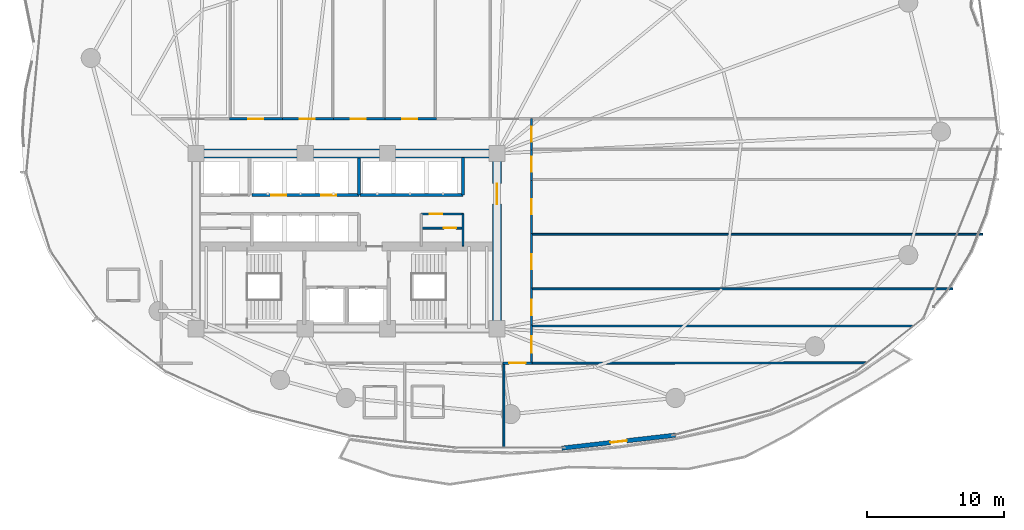
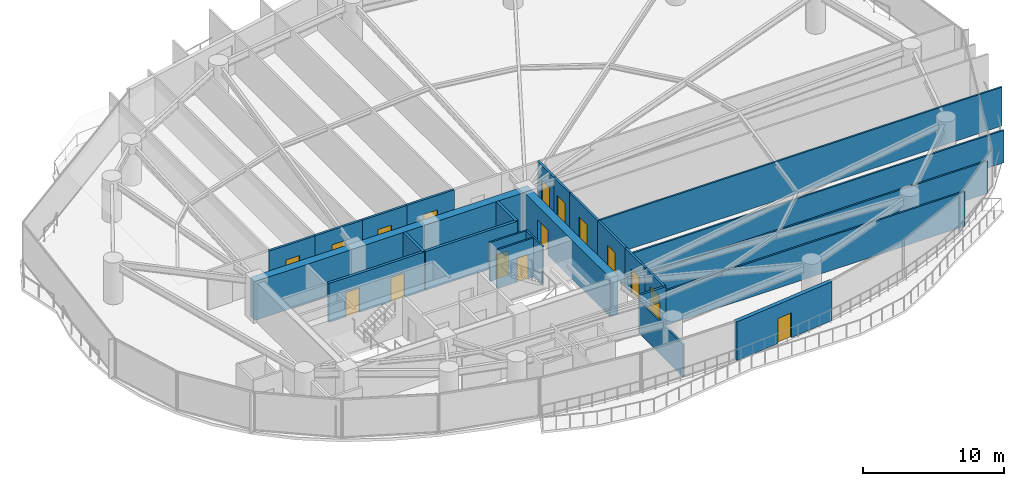
# One storey, part 26 of 32: 26 walls, 17 doors, 17 openings.
"""IFC4 building model written with IfcOpenShell, lengths in metres."""

from ifc_helpers import new_model, si_unit, direction, frame, frame_2d, origin, place, context, subcontext, project, spatial, rectangle, extrude, material, layer, layer_set, type_object, element, fill, save


model = new_model("IFC4")

# Units and contexts
model_context = context("Model", 3, precision=1e-05, world=origin(), true_north=direction((0.0, 1.0)))
body_context = subcontext(model_context, "Body", "Model", "MODEL_VIEW")
ifc_project = project(units=[si_unit("LENGTHUNIT", "METRE"), si_unit("AREAUNIT", "SQUARE_METRE"), si_unit("VOLUMEUNIT", "CUBIC_METRE"), si_unit("PLANEANGLEUNIT", "RADIAN"), si_unit("MASSUNIT", "GRAM", prefix="KILO")], contexts=[model_context])

# Site, building, storey
site_placement = place(None, origin())
site = spatial("IfcSite", under=ifc_project, at=site_placement, CompositionType="ELEMENT")
building_placement = place(site_placement, origin())
building = spatial("IfcBuilding", under=site, at=building_placement, Name="Kazevale Care Tower and Concert Hall", CompositionType="ELEMENT")
storey_placement = place(building_placement, frame((0.0, 0.0, 42.0)))
storey = spatial("IfcBuildingStorey", under=building, at=storey_placement, Name="L10", CompositionType="ELEMENT", Elevation=42.0)

# Wall
ifc_material_1 = material(Name="Acoustic Gypsum on Steel Stud", Category="steel")
ifc_layer_1 = layer(ifc_material_1, 0.139892578125)
ifc_layer_set_1 = layer_set([ifc_layer_1], Name="Acoustic Gypsum on Steel Stud")
wall_type_1 = type_object("IfcWallType", Name="Acoustic Care & Suite Partition 140", PredefinedType="PARTITIONING", material=ifc_layer_set_1)
wall_1_placement = place(storey_placement, frame((41.52001953125, 29.6201171875, 0.0), z_axis=(0.0, 0.0, 1.0), x_axis=(0.0, 1.0, 0.0)))
element("IfcWall", 1, at=wall_1_placement, inside=storey, type_object=wall_type_1, Name="wall:L10:kc_ee", PredefinedType="PARTITIONING", context=body_context, shape_type="SweptSolid", body=[
    extrude(rectangle(XDim=2.35986328125, YDim=0.139892578125, at=frame_2d((1.179931640625, 0.0))), origin(), (0.0, 0.0, 1.0), 3.360107421875),
])

# Wall, opening, door
wall_2_placement = place(storey_placement, frame((38.47998046875, 30.949951171875, 0.0), z_axis=(0.0, 0.0, 1.0), x_axis=(1.0, 0.0, 0.0)))
wall_2 = element("IfcWall", 2, at=wall_2_placement, inside=storey, type_object=wall_type_1, Name="wall:L10:kc_em", PredefinedType="PARTITIONING", context=body_context, shape_type="SweptSolid", body=[
    extrude(rectangle(XDim=3.0400390625, YDim=0.139892578125, at=frame_2d((1.52001953125, 0.0))), origin(), (0.0, 0.0, 1.0), 3.360107421875),
])
opening_1_placement = place(wall_2_placement, frame((1.616943359375, 0.0, 0.0)))
opening_1 = element("IfcOpeningElement", 3, at=opening_1_placement, cuts=wall_2, Name="Opening ID-900", PredefinedType="OPENING", context=body_context, shape_type="SweptSolid", body=[
    extrude(rectangle(XDim=0.919921875, YDim=2.10009765625, at=frame_2d((0.4599609375, 1.050048828125))), frame((0.0, 0.079833984375, 0.0), z_axis=(0.0, -1.0, 0.0), x_axis=(1.0, 0.0, 0.0)), (0.0, 0.0, 1.0), 0.159912109375),
])
ifc_material_2 = material(Name="Oak Timber Fire Leaf", Category="wood")
door_type_1 = type_object("IfcDoorType", Name="Bathroom & Service Door 920x2100", OperationType="NOTDEFINED", PredefinedType="DOOR", material=ifc_material_2)
door_1_placement = place(opening_1_placement, origin())
door_1 = element("IfcDoor", 4, at=door_1_placement, inside=storey, type_object=door_type_1, Name="door:L10:d_kceb", OperationType="SINGLE_SWING_RIGHT", OverallHeight=2.10009765625, OverallWidth=0.919921875, PredefinedType="DOOR", context=body_context, shape_type="SweptSolid", body=[
    extrude(rectangle(XDim=0.919921875, YDim=2.10009765625, at=frame_2d((0.4599609375, 1.050048828125))), frame((0.0, 0.02490234375, 0.0), z_axis=(0.0, -1.0, 0.0), x_axis=(1.0, 0.0, 0.0)), (0.0, 0.0, 1.0), 0.050048828125),
])
fill(opening_1, door_1)

wall_3_placement = place(storey_placement, frame((38.47998046875, 31.97998046875, 0.0), z_axis=(0.0, 0.0, 1.0), x_axis=(1.0, 0.0, 0.0)))
wall_3 = element("IfcWall", 5, at=wall_3_placement, inside=storey, type_object=wall_type_1, Name="wall:L10:kc_en", PredefinedType="PARTITIONING", context=body_context, shape_type="SweptSolid", body=[
    extrude(rectangle(XDim=3.0400390625, YDim=0.139892578125, at=frame_2d((1.52001953125, 0.0))), origin(), (0.0, 0.0, 1.0), 3.360107421875),
])
opening_2_placement = place(wall_3_placement, frame((0.614013671875, 0.0, 0.0)))
opening_2 = element("IfcOpeningElement", 6, at=opening_2_placement, cuts=wall_3, Name="Opening ID-900", PredefinedType="OPENING", context=body_context, shape_type="SweptSolid", body=[
    extrude(rectangle(XDim=0.919921875, YDim=2.10009765625, at=frame_2d((0.4599609375, 1.050048828125))), frame((0.0, 0.079833984375, 0.0), z_axis=(0.0, -1.0, 0.0), x_axis=(1.0, 0.0, 0.0)), (0.0, 0.0, 1.0), 0.159912109375),
])
door_2_placement = place(opening_2_placement, origin())
door_2 = element("IfcDoor", 7, at=door_2_placement, inside=storey, type_object=door_type_1, Name="door:L10:d_kcet", OperationType="SINGLE_SWING_LEFT", OverallHeight=2.10009765625, OverallWidth=0.919921875, PredefinedType="DOOR", context=body_context, shape_type="SweptSolid", body=[
    extrude(rectangle(XDim=0.919921875, YDim=2.10009765625, at=frame_2d((0.4599609375, 1.050048828125))), frame((0.0, 0.02490234375, 0.0), z_axis=(0.0, -1.0, 0.0), x_axis=(1.0, 0.0, 0.0)), (0.0, 0.0, 1.0), 0.050048828125),
])
fill(opening_2, door_2)

# Walls
wall_4_placement = place(storey_placement, frame((46.4951171875, 23.7900390625, 0.0), z_axis=(0.0, 0.0, 1.0), x_axis=(1.0, 0.0, 0.0)))
element("IfcWall", 8, at=wall_4_placement, inside=storey, type_object=wall_type_1, Name="wall:L10:auto_026", PredefinedType="PARTITIONING", context=body_context, shape_type="SweptSolid", body=[
    extrude(rectangle(XDim=27.9462890625, YDim=0.139892578125, at=frame_2d((13.97314453125, 0.0))), origin(), (0.0, 0.0, 1.0), 2.805908203125),
])
wall_5_placement = place(storey_placement, frame((71.0107421875, 21.094482421875, 0.0), z_axis=(0.0, 0.0, 1.0), x_axis=(-0.999999682646, -0.000796685534, 0.0)))
element("IfcWall", 9, at=wall_5_placement, inside=storey, type_object=wall_type_1, Name="wall:L10:auto_027", PredefinedType="PARTITIONING", context=body_context, shape_type="SweptSolid", body=[
    extrude(rectangle(XDim=24.515625, YDim=0.139892578125, at=frame_2d((12.2578125, 0.0))), origin(), (0.0, 0.0, 1.0), 2.99609375),
])
wall_6_placement = place(storey_placement, frame((46.4951171875, 26.5, 0.0), z_axis=(0.0, 0.0, 1.0), x_axis=(1.0, 0.0, 0.0)))
element("IfcWall", 10, at=wall_6_placement, inside=storey, type_object=wall_type_1, Name="wall:L10:auto_028", PredefinedType="PARTITIONING", context=body_context, shape_type="SweptSolid", body=[
    extrude(rectangle(XDim=30.830810546875, YDim=0.139892578125, at=frame_2d((15.41552734375, 0.0))), origin(), (0.0, 0.0, 1.0), 2.805908203125),
])
wall_7_placement = place(storey_placement, frame((46.4951171875, 30.5, 0.0), z_axis=(0.0, 0.0, 1.0), x_axis=(1.0, 0.0, 0.0)))
element("IfcWall", 11, at=wall_7_placement, inside=storey, type_object=wall_type_1, Name="wall:L10:auto_029", PredefinedType="PARTITIONING", context=body_context, shape_type="SweptSolid", body=[
    extrude(rectangle(XDim=33.0078125, YDim=0.139892578125, at=frame_2d((16.50390625, 0.0))), origin(), (0.0, 0.0, 1.0), 3.360107421875),
])
wall_8_placement = place(storey_placement, frame((44.5, 21.10498046875, 0.0), z_axis=(0.0, 0.0, 1.0), x_axis=(0.0, -1.0, 0.0)))
element("IfcWall", 12, at=wall_8_placement, inside=storey, type_object=wall_type_1, Name="wall:L10:auto_033", PredefinedType="PARTITIONING", context=body_context, shape_type="SweptSolid", body=[
    extrude(rectangle(XDim=6.205078125, YDim=0.139892578125, at=frame_2d((3.1025390625, 0.0))), origin(), (0.0, 0.0, 1.0), 2.805908203125),
])
ifc_material_3 = material(Name="Concrete C70", Category="concrete")
ifc_layer_2 = layer(ifc_material_3, 0.64990234375)
ifc_layer_set_2 = layer_set([ifc_layer_2], Name="Concrete C70")
wall_type_2 = type_object("IfcWallType", Name="Core Shear Wall 650 C70", PredefinedType="SHEAR", material=ifc_layer_set_2)
wall_9_placement = place(storey_placement, frame((21.675048828125, 36.39990234375, 0.0), z_axis=(0.0, 0.0, 1.0), x_axis=(1.0, 0.0, 0.0)))
element("IfcWall", 13, at=wall_9_placement, inside=storey, type_object=wall_type_2, Name="wall:L10:core:N", PredefinedType="SHEAR", context=body_context, shape_type="SweptSolid", body=[
    extrude(rectangle(XDim=22.64990234375, YDim=0.64990234375, at=frame_2d((11.324951171875, 0.0))), origin(), (0.0, 0.0, 1.0), 3.360107421875),
])

# Wall, opening, door
wall_10_placement = place(storey_placement, frame((44.0, 23.925048828125, 0.0), z_axis=(0.0, 0.0, 1.0), x_axis=(0.0, 1.0, 0.0)))
wall_10 = element("IfcWall", 14, at=wall_10_placement, inside=storey, type_object=wall_type_2, Name="wall:L10:core:E", PredefinedType="SHEAR", context=body_context, shape_type="SweptSolid", body=[
    extrude(rectangle(XDim=12.14990234375, YDim=0.64990234375, at=frame_2d((6.074951171875, 0.0))), origin(), (0.0, 0.0, 1.0), 3.360107421875),
])
opening_3_placement = place(wall_10_placement, frame((8.77490234375, 0.0, 0.0)))
opening_3 = element("IfcOpeningElement", 15, at=opening_3_placement, cuts=wall_10, Name="Opening FD-60D", PredefinedType="OPENING", context=body_context, shape_type="SweptSolid", body=[
    extrude(rectangle(XDim=1.5, YDim=2.14990234375, at=frame_2d((0.75, 1.074951171875))), frame((0.0, 0.3349609375, 0.0), z_axis=(0.0, -1.0, 0.0), x_axis=(1.0, 0.0, 0.0)), (0.0, 0.0, 1.0), 0.669921875),
])
door_type_2 = type_object("IfcDoorType", Name="Double Lobby & Auditorium Fire Door 1500x2150", OperationType="NOTDEFINED", PredefinedType="DOOR", material=ifc_material_2)
door_3_placement = place(opening_3_placement, origin())
door_3 = element("IfcDoor", 16, at=door_3_placement, inside=storey, type_object=door_type_2, Name="door:L10:core_east_out", OperationType="DOUBLE_DOOR_SINGLE_SWING", OverallHeight=2.14990234375, OverallWidth=1.5, PredefinedType="DOOR", context=body_context, shape_type="SweptSolid", body=[
    extrude(rectangle(XDim=1.5, YDim=2.14990234375, at=frame_2d((0.75, 1.074951171875))), frame((0.0, 0.02490234375, 0.0), z_axis=(0.0, -1.0, 0.0), x_axis=(1.0, 0.0, 0.0)), (0.0, 0.0, 1.0), 0.050048828125),
])
fill(opening_3, door_3)

# Wall, openings, doors
ifc_material_4 = material(Name="Concrete C40", Category="concrete")
ifc_layer_3 = layer(ifc_material_4, 0.219970703125)
ifc_layer_set_3 = layer_set([ifc_layer_3], Name="Concrete C40")
wall_type_3 = type_object("IfcWallType", Name="Elevator Hoistway Shaft Wall 220", PredefinedType="SOLIDWALL", material=ifc_layer_set_3)
wall_11_placement = place(storey_placement, frame((26.10009765625, 33.35009765625, 0.0), z_axis=(0.0, 0.0, 1.0), x_axis=(1.0, 0.0, 0.0)))
wall_11 = element("IfcWall", 17, at=wall_11_placement, inside=storey, type_object=wall_type_3, Name="wall:L10:c_pl_s", PredefinedType="SOLIDWALL", context=body_context, shape_type="SweptSolid", body=[
    extrude(rectangle(XDim=7.7998046875, YDim=0.219970703125, at=frame_2d((3.89990234375, 0.0))), origin(), (0.0, 0.0, 1.0), 3.360107421875),
])
opening_4_placement = place(wall_11_placement, frame((1.39990234375, 0.0, 0.0)))
opening_4 = element("IfcOpeningElement", 18, at=opening_4_placement, cuts=wall_11, Name="Opening LD-PAX", PredefinedType="OPENING", context=body_context, shape_type="SweptSolid", body=[
    extrude(rectangle(XDim=1.10009765625, YDim=2.10009765625, at=frame_2d((0.550048828125, 1.050048828125))), frame((0.0, 0.119873046875, 0.0), z_axis=(0.0, -1.0, 0.0), x_axis=(1.0, 0.0, 0.0)), (0.0, 0.0, 1.0), 0.239990234375),
])
opening_5_placement = place(wall_11_placement, frame((5.06591796875, 0.0, 0.0)))
opening_5 = element("IfcOpeningElement", 19, at=opening_5_placement, cuts=wall_11, Name="Opening LD-PAX", PredefinedType="OPENING", context=body_context, shape_type="SweptSolid", body=[
    extrude(rectangle(XDim=1.10009765625, YDim=2.10009765625, at=frame_2d((0.550048828125, 1.050048828125))), frame((0.0, 0.119873046875, 0.0), z_axis=(0.0, -1.0, 0.0), x_axis=(1.0, 0.0, 0.0)), (0.0, 0.0, 1.0), 0.239990234375),
])
ifc_material_5 = material(Name="Stainless Steel 316", Category="steel")
door_type_3 = type_object("IfcDoorType", Name="Passenger Lift Sliding Landing Door 1100x2100", OperationType="NOTDEFINED", PredefinedType="DOOR", material=ifc_material_5)
door_4_placement = place(opening_4_placement, origin())
door_4 = element("IfcDoor", 20, at=door_4_placement, inside=storey, type_object=door_type_3, Name="door:L10:ld_pl1", OperationType="SLIDING_TO_LEFT", OverallHeight=2.10009765625, OverallWidth=1.10009765625, PredefinedType="DOOR", context=body_context, shape_type="SweptSolid", body=[
    extrude(rectangle(XDim=1.10009765625, YDim=2.10009765625, at=frame_2d((0.550048828125, 1.050048828125))), frame((0.0, 0.02490234375, 0.0), z_axis=(0.0, -1.0, 0.0), x_axis=(1.0, 0.0, 0.0)), (0.0, 0.0, 1.0), 0.050048828125),
])
fill(opening_4, door_4)
door_5_placement = place(opening_5_placement, origin())
door_5 = element("IfcDoor", 21, at=door_5_placement, inside=storey, type_object=door_type_3, Name="door:L10:ld_pl2", OperationType="SLIDING_TO_RIGHT", OverallHeight=2.10009765625, OverallWidth=1.10009765625, PredefinedType="DOOR", context=body_context, shape_type="SweptSolid", body=[
    extrude(rectangle(XDim=1.10009765625, YDim=2.10009765625, at=frame_2d((0.550048828125, 1.050048828125))), frame((0.0, 0.02490234375, 0.0), z_axis=(0.0, -1.0, 0.0), x_axis=(1.0, 0.0, 0.0)), (0.0, 0.0, 1.0), 0.050048828125),
])
fill(opening_5, door_5)

# Walls
wall_12_placement = place(storey_placement, frame((33.89990234375, 33.35009765625, 0.0), z_axis=(0.0, 0.0, 1.0), x_axis=(0.0, 1.0, 0.0)))
element("IfcWall", 22, at=wall_12_placement, inside=storey, type_object=wall_type_3, Name="wall:L10:c_pl_e", PredefinedType="SOLIDWALL", context=body_context, shape_type="SweptSolid", body=[
    extrude(rectangle(XDim=2.72998046875, YDim=0.219970703125, at=frame_2d((1.364990234375, 0.0))), origin(), (0.0, 0.0, 1.0), 3.360107421875),
])
wall_13_placement = place(storey_placement, frame((33.97998046875, 33.35009765625, 0.0), z_axis=(0.0, 0.0, 1.0), x_axis=(1.0, 0.0, 0.0)))
element("IfcWall", 23, at=wall_13_placement, inside=storey, type_object=wall_type_3, Name="wall:L10:c_pm_s", PredefinedType="SOLIDWALL", context=body_context, shape_type="SweptSolid", body=[
    extrude(rectangle(XDim=7.5400390625, YDim=0.219970703125, at=frame_2d((3.77001953125, 0.0))), origin(), (0.0, 0.0, 1.0), 3.360107421875),
])
wall_14_placement = place(storey_placement, frame((41.5, 33.35009765625, 0.0), z_axis=(0.0, 0.0, 1.0), x_axis=(0.0, 1.0, 0.0)))
element("IfcWall", 24, at=wall_14_placement, inside=storey, type_object=wall_type_3, Name="wall:L10:c_pm_e", PredefinedType="SOLIDWALL", context=body_context, shape_type="SweptSolid", body=[
    extrude(rectangle(XDim=2.75, YDim=0.219970703125, at=frame_2d((1.375, 0.0))), origin(), (0.0, 0.0, 1.0), 3.360107421875),
])

# Wall, opening, door
ifc_material_6 = material(Name="Concrete C40 and Acoustic Gypsum", Category="concrete")
ifc_layer_4 = layer(ifc_material_6, 0.179931640625)
ifc_layer_set_4 = layer_set([ifc_layer_4], Name="Concrete C40 and Acoustic Gypsum")
wall_type_4 = type_object("IfcWallType", Name="Fire-Rated Corridor & Party Wall 180", PredefinedType="PARTITIONING", material=ifc_layer_set_4)
wall_15_placement = place(storey_placement, frame((24.43505859375, 38.925048828125, 0.0), z_axis=(0.0, 0.0, 1.0), x_axis=(1.0, 0.0, 0.0)))
wall_15 = element("IfcWall", 25, at=wall_15_placement, inside=storey, type_object=wall_type_4, Name="wall:L10:auto_002", PredefinedType="PARTITIONING", context=body_context, shape_type="SweptSolid", body=[
    extrude(rectangle(XDim=3.8798828125, YDim=0.179931640625, at=frame_2d((1.93994140625, 0.0))), origin(), (0.0, 0.0, 1.0), 3.360107421875),
])
opening_6_placement = place(wall_15_placement, frame((1.389892578125, 0.0, 0.0)))
opening_6 = element("IfcOpeningElement", 26, at=opening_6_placement, cuts=wall_15, Name="Opening ID-1100", PredefinedType="OPENING", context=body_context, shape_type="SweptSolid", body=[
    extrude(rectangle(XDim=1.10009765625, YDim=2.10009765625, at=frame_2d((0.550048828125, 1.050048828125))), frame((0.0, 0.099853515625, 0.0), z_axis=(0.0, -1.0, 0.0), x_axis=(1.0, 0.0, 0.0)), (0.0, 0.0, 1.0), 0.199951171875),
])
door_type_4 = type_object("IfcDoorType", Name="Care Bedroom Accessible Door 1100x2100", OperationType="NOTDEFINED", PredefinedType="DOOR", material=ifc_material_2)
door_6_placement = place(opening_6_placement, origin())
door_6 = element("IfcDoor", 27, at=door_6_placement, inside=storey, type_object=door_type_4, Name="door:L10:ad_002", OperationType="SINGLE_SWING_LEFT", OverallHeight=2.10009765625, OverallWidth=1.10009765625, PredefinedType="DOOR", context=body_context, shape_type="SweptSolid", body=[
    extrude(rectangle(XDim=1.10009765625, YDim=2.10009765625, at=frame_2d((0.550048828125, 1.050048828125))), frame((0.0, 0.02490234375, 0.0), z_axis=(0.0, -1.0, 0.0), x_axis=(1.0, 0.0, 0.0)), (0.0, 0.0, 1.0), 0.050048828125),
])
fill(opening_6, door_6)

wall_16_placement = place(storey_placement, frame((28.18505859375, 38.925048828125, 0.0), z_axis=(0.0, 0.0, 1.0), x_axis=(1.0, 0.0, 0.0)))
wall_16 = element("IfcWall", 28, at=wall_16_placement, inside=storey, type_object=wall_type_4, Name="wall:L10:auto_003", PredefinedType="PARTITIONING", context=body_context, shape_type="SweptSolid", body=[
    extrude(rectangle(XDim=3.8798828125, YDim=0.179931640625, at=frame_2d((1.93994140625, 0.0))), origin(), (0.0, 0.0, 1.0), 3.360107421875),
])
opening_7_placement = place(wall_16_placement, frame((1.389892578125, 0.0, 0.0)))
opening_7 = element("IfcOpeningElement", 29, at=opening_7_placement, cuts=wall_16, Name="Opening ID-1100", PredefinedType="OPENING", context=body_context, shape_type="SweptSolid", body=[
    extrude(rectangle(XDim=1.10009765625, YDim=2.10009765625, at=frame_2d((0.550048828125, 1.050048828125))), frame((0.0, 0.099853515625, 0.0), z_axis=(0.0, -1.0, 0.0), x_axis=(1.0, 0.0, 0.0)), (0.0, 0.0, 1.0), 0.199951171875),
])
door_7_placement = place(opening_7_placement, origin())
door_7 = element("IfcDoor", 30, at=door_7_placement, inside=storey, type_object=door_type_4, Name="door:L10:ad_003", OperationType="SINGLE_SWING_LEFT", OverallHeight=2.10009765625, OverallWidth=1.10009765625, PredefinedType="DOOR", context=body_context, shape_type="SweptSolid", body=[
    extrude(rectangle(XDim=1.10009765625, YDim=2.10009765625, at=frame_2d((0.550048828125, 1.050048828125))), frame((0.0, 0.02490234375, 0.0), z_axis=(0.0, -1.0, 0.0), x_axis=(1.0, 0.0, 0.0)), (0.0, 0.0, 1.0), 0.050048828125),
])
fill(opening_7, door_7)

wall_17_placement = place(storey_placement, frame((31.93505859375, 38.925048828125, 0.0), z_axis=(0.0, 0.0, 1.0), x_axis=(1.0, 0.0, 0.0)))
wall_17 = element("IfcWall", 31, at=wall_17_placement, inside=storey, type_object=wall_type_4, Name="wall:L10:auto_004", PredefinedType="PARTITIONING", context=body_context, shape_type="SweptSolid", body=[
    extrude(rectangle(XDim=3.8798828125, YDim=0.179931640625, at=frame_2d((1.93994140625, 0.0))), origin(), (0.0, 0.0, 1.0), 3.360107421875),
])
opening_8_placement = place(wall_17_placement, frame((1.389892578125, 0.0, 0.0)))
opening_8 = element("IfcOpeningElement", 32, at=opening_8_placement, cuts=wall_17, Name="Opening ID-1100", PredefinedType="OPENING", context=body_context, shape_type="SweptSolid", body=[
    extrude(rectangle(XDim=1.10009765625, YDim=2.10009765625, at=frame_2d((0.550048828125, 1.050048828125))), frame((0.0, 0.099853515625, 0.0), z_axis=(0.0, -1.0, 0.0), x_axis=(1.0, 0.0, 0.0)), (0.0, 0.0, 1.0), 0.199951171875),
])
door_8_placement = place(opening_8_placement, origin())
door_8 = element("IfcDoor", 33, at=door_8_placement, inside=storey, type_object=door_type_4, Name="door:L10:ad_004", OperationType="SINGLE_SWING_LEFT", OverallHeight=2.10009765625, OverallWidth=1.10009765625, PredefinedType="DOOR", context=body_context, shape_type="SweptSolid", body=[
    extrude(rectangle(XDim=1.10009765625, YDim=2.10009765625, at=frame_2d((0.550048828125, 1.050048828125))), frame((0.0, 0.02490234375, 0.0), z_axis=(0.0, -1.0, 0.0), x_axis=(1.0, 0.0, 0.0)), (0.0, 0.0, 1.0), 0.050048828125),
])
fill(opening_8, door_8)

wall_18_placement = place(storey_placement, frame((35.68505859375, 38.925048828125, 0.0), z_axis=(0.0, 0.0, 1.0), x_axis=(1.0, 0.0, 0.0)))
wall_18 = element("IfcWall", 34, at=wall_18_placement, inside=storey, type_object=wall_type_4, Name="wall:L10:auto_005", PredefinedType="PARTITIONING", context=body_context, shape_type="SweptSolid", body=[
    extrude(rectangle(XDim=3.8798828125, YDim=0.179931640625, at=frame_2d((1.93994140625, 0.0))), origin(), (0.0, 0.0, 1.0), 3.360107421875),
])
opening_9_placement = place(wall_18_placement, frame((1.389892578125, 0.0, 0.0)))
opening_9 = element("IfcOpeningElement", 35, at=opening_9_placement, cuts=wall_18, Name="Opening ID-1100", PredefinedType="OPENING", context=body_context, shape_type="SweptSolid", body=[
    extrude(rectangle(XDim=1.10009765625, YDim=2.10009765625, at=frame_2d((0.550048828125, 1.050048828125))), frame((0.0, 0.099853515625, 0.0), z_axis=(0.0, -1.0, 0.0), x_axis=(1.0, 0.0, 0.0)), (0.0, 0.0, 1.0), 0.199951171875),
])
door_9_placement = place(opening_9_placement, origin())
door_9 = element("IfcDoor", 36, at=door_9_placement, inside=storey, type_object=door_type_4, Name="door:L10:ad_005", OperationType="SINGLE_SWING_LEFT", OverallHeight=2.10009765625, OverallWidth=1.10009765625, PredefinedType="DOOR", context=body_context, shape_type="SweptSolid", body=[
    extrude(rectangle(XDim=1.10009765625, YDim=2.10009765625, at=frame_2d((0.550048828125, 1.050048828125))), frame((0.0, 0.02490234375, 0.0), z_axis=(0.0, -1.0, 0.0), x_axis=(1.0, 0.0, 0.0)), (0.0, 0.0, 1.0), 0.050048828125),
])
fill(opening_9, door_9)

wall_19_placement = place(storey_placement, frame((46.52490234375, 23.85498046875, 0.0), z_axis=(0.0, 0.0, 1.0), x_axis=(0.0, -1.0, 0.0)))
wall_19 = element("IfcWall", 37, at=wall_19_placement, inside=storey, type_object=wall_type_4, Name="wall:L10:auto_008", PredefinedType="PARTITIONING", context=body_context, shape_type="SweptSolid", body=[
    extrude(rectangle(XDim=2.81005859375, YDim=0.179931640625, at=frame_2d((1.405029296875, 0.0))), origin(), (0.0, 0.0, 1.0), 3.360107421875),
])
opening_10_placement = place(wall_19_placement, frame((0.804931640625, 0.0, 0.0)))
opening_10 = element("IfcOpeningElement", 38, at=opening_10_placement, cuts=wall_19, Name="Opening ID-1200", PredefinedType="OPENING", context=body_context, shape_type="SweptSolid", body=[
    extrude(rectangle(XDim=1.199951171875, YDim=2.14990234375, at=frame_2d((0.60009765625, 1.074951171875))), frame((0.0, 0.099853515625, 0.0), z_axis=(0.0, -1.0, 0.0), x_axis=(1.0, 0.0, 0.0)), (0.0, 0.0, 1.0), 0.199951171875),
])
door_type_5 = type_object("IfcDoorType", Name="Clinical & Therapy Door 1200x2150", OperationType="NOTDEFINED", PredefinedType="DOOR", material=ifc_material_2)
door_10_placement = place(opening_10_placement, origin())
door_10 = element("IfcDoor", 39, at=door_10_placement, inside=storey, type_object=door_type_5, Name="door:L10:ad_008", OperationType="SINGLE_SWING_LEFT", OverallHeight=2.14990234375, OverallWidth=1.199951171875, PredefinedType="DOOR", context=body_context, shape_type="SweptSolid", body=[
    extrude(rectangle(XDim=1.199951171875, YDim=2.14990234375, at=frame_2d((0.60009765625, 1.074951171875))), frame((0.0, 0.02490234375, 0.0), z_axis=(0.0, -1.0, 0.0), x_axis=(1.0, 0.0, 0.0)), (0.0, 0.0, 1.0), 0.050048828125),
])
fill(opening_10, door_10)

wall_20_placement = place(storey_placement, frame((46.52490234375, 26.56494140625, 0.0), z_axis=(0.0, 0.0, 1.0), x_axis=(0.0, -1.0, 0.0)))
wall_20 = element("IfcWall", 40, at=wall_20_placement, inside=storey, type_object=wall_type_4, Name="wall:L10:auto_009", PredefinedType="PARTITIONING", context=body_context, shape_type="SweptSolid", body=[
    extrude(rectangle(XDim=2.83984375, YDim=0.179931640625, at=frame_2d((1.419921875, 0.0))), origin(), (0.0, 0.0, 1.0), 3.360107421875),
])
opening_11_placement = place(wall_20_placement, frame((0.8701171875, 0.0, 0.0)))
opening_11 = element("IfcOpeningElement", 41, at=opening_11_placement, cuts=wall_20, Name="Opening ID-1100", PredefinedType="OPENING", context=body_context, shape_type="SweptSolid", body=[
    extrude(rectangle(XDim=1.10009765625, YDim=2.10009765625, at=frame_2d((0.550048828125, 1.050048828125))), frame((0.0, 0.099853515625, 0.0), z_axis=(0.0, -1.0, 0.0), x_axis=(1.0, 0.0, 0.0)), (0.0, 0.0, 1.0), 0.199951171875),
])
door_11_placement = place(opening_11_placement, origin())
door_11 = element("IfcDoor", 42, at=door_11_placement, inside=storey, type_object=door_type_4, Name="door:L10:ad_009", OperationType="SINGLE_SWING_LEFT", OverallHeight=2.10009765625, OverallWidth=1.10009765625, PredefinedType="DOOR", context=body_context, shape_type="SweptSolid", body=[
    extrude(rectangle(XDim=1.10009765625, YDim=2.10009765625, at=frame_2d((0.550048828125, 1.050048828125))), frame((0.0, 0.02490234375, 0.0), z_axis=(0.0, -1.0, 0.0), x_axis=(1.0, 0.0, 0.0)), (0.0, 0.0, 1.0), 0.050048828125),
])
fill(opening_11, door_11)

wall_21_placement = place(storey_placement, frame((46.52490234375, 30.56494140625, 0.0), z_axis=(0.0, 0.0, 1.0), x_axis=(0.0, -1.0, 0.0)))
wall_21 = element("IfcWall", 43, at=wall_21_placement, inside=storey, type_object=wall_type_4, Name="wall:L10:auto_010", PredefinedType="PARTITIONING", context=body_context, shape_type="SweptSolid", body=[
    extrude(rectangle(XDim=4.1298828125, YDim=0.179931640625, at=frame_2d((2.06494140625, 0.0))), origin(), (0.0, 0.0, 1.0), 3.360107421875),
])
opening_12_placement = place(wall_21_placement, frame((1.514892578125, 0.0, 0.0)))
opening_12 = element("IfcOpeningElement", 44, at=opening_12_placement, cuts=wall_21, Name="Opening ID-1100", PredefinedType="OPENING", context=body_context, shape_type="SweptSolid", body=[
    extrude(rectangle(XDim=1.10009765625, YDim=2.10009765625, at=frame_2d((0.550048828125, 1.050048828125))), frame((0.0, 0.099853515625, 0.0), z_axis=(0.0, -1.0, 0.0), x_axis=(1.0, 0.0, 0.0)), (0.0, 0.0, 1.0), 0.199951171875),
])
door_12_placement = place(opening_12_placement, origin())
door_12 = element("IfcDoor", 45, at=door_12_placement, inside=storey, type_object=door_type_4, Name="door:L10:ad_010", OperationType="SINGLE_SWING_LEFT", OverallHeight=2.10009765625, OverallWidth=1.10009765625, PredefinedType="DOOR", context=body_context, shape_type="SweptSolid", body=[
    extrude(rectangle(XDim=1.10009765625, YDim=2.10009765625, at=frame_2d((0.550048828125, 1.050048828125))), frame((0.0, 0.02490234375, 0.0), z_axis=(0.0, -1.0, 0.0), x_axis=(1.0, 0.0, 0.0)), (0.0, 0.0, 1.0), 0.050048828125),
])
fill(opening_12, door_12)

wall_22_placement = place(storey_placement, frame((46.52490234375, 34.56494140625, 0.0), z_axis=(0.0, 0.0, 1.0), x_axis=(0.0, -1.0, 0.0)))
wall_22 = element("IfcWall", 46, at=wall_22_placement, inside=storey, type_object=wall_type_4, Name="wall:L10:auto_011", PredefinedType="PARTITIONING", context=body_context, shape_type="SweptSolid", body=[
    extrude(rectangle(XDim=4.1298828125, YDim=0.179931640625, at=frame_2d((2.06494140625, 0.0))), origin(), (0.0, 0.0, 1.0), 3.360107421875),
])
opening_13_placement = place(wall_22_placement, frame((1.514892578125, 0.0, 0.0)))
opening_13 = element("IfcOpeningElement", 47, at=opening_13_placement, cuts=wall_22, Name="Opening ID-1100", PredefinedType="OPENING", context=body_context, shape_type="SweptSolid", body=[
    extrude(rectangle(XDim=1.10009765625, YDim=2.10009765625, at=frame_2d((0.550048828125, 1.050048828125))), frame((0.0, 0.099853515625, 0.0), z_axis=(0.0, -1.0, 0.0), x_axis=(1.0, 0.0, 0.0)), (0.0, 0.0, 1.0), 0.199951171875),
])
door_13_placement = place(opening_13_placement, origin())
door_13 = element("IfcDoor", 48, at=door_13_placement, inside=storey, type_object=door_type_4, Name="door:L10:ad_011", OperationType="SINGLE_SWING_LEFT", OverallHeight=2.10009765625, OverallWidth=1.10009765625, PredefinedType="DOOR", context=body_context, shape_type="SweptSolid", body=[
    extrude(rectangle(XDim=1.10009765625, YDim=2.10009765625, at=frame_2d((0.550048828125, 1.050048828125))), frame((0.0, 0.02490234375, 0.0), z_axis=(0.0, -1.0, 0.0), x_axis=(1.0, 0.0, 0.0)), (0.0, 0.0, 1.0), 0.050048828125),
])
fill(opening_13, door_13)

wall_23_placement = place(storey_placement, frame((46.52490234375, 36.77490234375, 0.0), z_axis=(0.0, 0.0, 1.0), x_axis=(0.0, -1.0, 0.0)))
wall_23 = element("IfcWall", 49, at=wall_23_placement, inside=storey, type_object=wall_type_4, Name="wall:L10:auto_012", PredefinedType="PARTITIONING", context=body_context, shape_type="SweptSolid", body=[
    extrude(rectangle(XDim=2.33984375, YDim=0.179931640625, at=frame_2d((1.169921875, 0.0))), origin(), (0.0, 0.0, 1.0), 3.360107421875),
])
opening_14_placement = place(wall_23_placement, frame((0.6201171875, 0.0, 0.0)))
opening_14 = element("IfcOpeningElement", 50, at=opening_14_placement, cuts=wall_23, Name="Opening ID-1100", PredefinedType="OPENING", context=body_context, shape_type="SweptSolid", body=[
    extrude(rectangle(XDim=1.10009765625, YDim=2.10009765625, at=frame_2d((0.550048828125, 1.050048828125))), frame((0.0, 0.099853515625, 0.0), z_axis=(0.0, -1.0, 0.0), x_axis=(1.0, 0.0, 0.0)), (0.0, 0.0, 1.0), 0.199951171875),
])
door_14_placement = place(opening_14_placement, origin())
door_14 = element("IfcDoor", 51, at=door_14_placement, inside=storey, type_object=door_type_4, Name="door:L10:ad_012", OperationType="SINGLE_SWING_LEFT", OverallHeight=2.10009765625, OverallWidth=1.10009765625, PredefinedType="DOOR", context=body_context, shape_type="SweptSolid", body=[
    extrude(rectangle(XDim=1.10009765625, YDim=2.10009765625, at=frame_2d((0.550048828125, 1.050048828125))), frame((0.0, 0.02490234375, 0.0), z_axis=(0.0, -1.0, 0.0), x_axis=(1.0, 0.0, 0.0)), (0.0, 0.0, 1.0), 0.050048828125),
])
fill(opening_14, door_14)

wall_24_placement = place(storey_placement, frame((46.52490234375, 38.955078125, 0.0), z_axis=(0.0, 0.0, 1.0), x_axis=(0.0, -1.0, 0.0)))
wall_24 = element("IfcWall", 52, at=wall_24_placement, inside=storey, type_object=wall_type_4, Name="wall:L10:auto_013", PredefinedType="PARTITIONING", context=body_context, shape_type="SweptSolid", body=[
    extrude(rectangle(XDim=2.31005859375, YDim=0.179931640625, at=frame_2d((1.155029296875, 0.0))), origin(), (0.0, 0.0, 1.0), 3.360107421875),
])
opening_15_placement = place(wall_24_placement, frame((0.60498046875, 0.0, 0.0)))
opening_15 = element("IfcOpeningElement", 53, at=opening_15_placement, cuts=wall_24, Name="Opening ID-1100", PredefinedType="OPENING", context=body_context, shape_type="SweptSolid", body=[
    extrude(rectangle(XDim=1.10009765625, YDim=2.10009765625, at=frame_2d((0.550048828125, 1.050048828125))), frame((0.0, 0.099853515625, 0.0), z_axis=(0.0, -1.0, 0.0), x_axis=(1.0, 0.0, 0.0)), (0.0, 0.0, 1.0), 0.199951171875),
])
door_15_placement = place(opening_15_placement, origin())
door_15 = element("IfcDoor", 54, at=door_15_placement, inside=storey, type_object=door_type_4, Name="door:L10:ad_013", OperationType="SINGLE_SWING_LEFT", OverallHeight=2.10009765625, OverallWidth=1.10009765625, PredefinedType="DOOR", context=body_context, shape_type="SweptSolid", body=[
    extrude(rectangle(XDim=1.10009765625, YDim=2.10009765625, at=frame_2d((0.550048828125, 1.050048828125))), frame((0.0, 0.02490234375, 0.0), z_axis=(0.0, -1.0, 0.0), x_axis=(1.0, 0.0, 0.0)), (0.0, 0.0, 1.0), 0.050048828125),
])
fill(opening_15, door_15)

wall_25_placement = place(storey_placement, frame((46.554931640625, 21.074951171875, 0.0), z_axis=(0.0, 0.0, 1.0), x_axis=(-1.0, 0.0, 0.0)))
wall_25 = element("IfcWall", 55, at=wall_25_placement, inside=storey, type_object=wall_type_4, Name="wall:L10:auto_016", PredefinedType="PARTITIONING", context=body_context, shape_type="SweptSolid", body=[
    extrude(rectangle(XDim=2.119873046875, YDim=0.179931640625, at=frame_2d((1.06005859375, 0.0))), origin(), (0.0, 0.0, 1.0), 3.360107421875),
])
opening_16_placement = place(wall_25_placement, frame((0.4599609375, 0.0, 0.0)))
opening_16 = element("IfcOpeningElement", 56, at=opening_16_placement, cuts=wall_25, Name="Opening ID-1200", PredefinedType="OPENING", context=body_context, shape_type="SweptSolid", body=[
    extrude(rectangle(XDim=1.199951171875, YDim=2.14990234375, at=frame_2d((0.60009765625, 1.074951171875))), frame((0.0, 0.099853515625, 0.0), z_axis=(0.0, -1.0, 0.0), x_axis=(1.0, 0.0, 0.0)), (0.0, 0.0, 1.0), 0.199951171875),
])
door_16_placement = place(opening_16_placement, origin())
door_16 = element("IfcDoor", 57, at=door_16_placement, inside=storey, type_object=door_type_5, Name="door:L10:ad_016", OperationType="SINGLE_SWING_LEFT", OverallHeight=2.14990234375, OverallWidth=1.199951171875, PredefinedType="DOOR", context=body_context, shape_type="SweptSolid", body=[
    extrude(rectangle(XDim=1.199951171875, YDim=2.14990234375, at=frame_2d((0.60009765625, 1.074951171875))), frame((0.0, 0.02490234375, 0.0), z_axis=(0.0, -1.0, 0.0), x_axis=(1.0, 0.0, 0.0)), (0.0, 0.0, 1.0), 0.050048828125),
])
fill(opening_16, door_16)

ifc_material_7 = material(Name="Concrete C40 with Honed Limestone Cladding", Category="masonry")
ifc_layer_5 = layer(ifc_material_7, 0.320068359375)
ifc_layer_set_5 = layer_set([ifc_layer_5], Name="Concrete C40 with Honed Limestone Cladding")
wall_type_5 = type_object("IfcWallType", Name="Tower Honed Limestone Spandrel Wall 320", PredefinedType="STANDARD", material=ifc_layer_set_5)
wall_26_placement = place(storey_placement, frame((57.050048828125, 15.81201171875, 0.0), z_axis=(0.0, 0.0, 1.0), x_axis=(-0.993503192468, -0.113804246649, 0.0)))
wall_26 = element("IfcWall", 58, at=wall_26_placement, inside=storey, type_object=wall_type_5, Name="wall:L10:bal_host", PredefinedType="STANDARD", context=body_context, shape_type="SweptSolid", body=[
    extrude(rectangle(XDim=8.364501953125, YDim=0.320068359375, at=frame_2d((4.18212890625, 0.0))), origin(), (0.0, 0.0, 1.0), 3.360107421875),
])
opening_17_placement = place(wall_26_placement, frame((3.58203125, 0.0, 0.0)))
opening_17 = element("IfcOpeningElement", 59, at=opening_17_placement, cuts=wall_26, Name="Opening BD-1200", PredefinedType="OPENING", context=body_context, shape_type="SweptSolid", body=[
    extrude(rectangle(XDim=1.199951171875, YDim=2.14990234375, at=frame_2d((0.60009765625, 1.074951171875))), frame((0.0, 0.169921875, 0.0), z_axis=(0.0, -1.0, 0.0), x_axis=(1.0, 0.0, 0.0)), (0.0, 0.0, 1.0), 0.340087890625),
])
ifc_material_8 = material(Name="Aluminium 6063-T6 and Low-E Glass", Category="aluminium")
door_type_6 = type_object("IfcDoorType", Name="Sheltered Balcony Glazed Door 1200x2150", OperationType="NOTDEFINED", PredefinedType="DOOR", material=ifc_material_8)
door_17_placement = place(opening_17_placement, origin())
door_17 = element("IfcDoor", 60, at=door_17_placement, inside=storey, type_object=door_type_6, Name="door:L10:BD-1", OperationType="SINGLE_SWING_LEFT", OverallHeight=2.14990234375, OverallWidth=1.199951171875, PredefinedType="DOOR", context=body_context, shape_type="SweptSolid", body=[
    extrude(rectangle(XDim=1.199951171875, YDim=2.14990234375, at=frame_2d((0.60009765625, 1.074951171875))), frame((0.0, 0.02490234375, 0.0), z_axis=(0.0, -1.0, 0.0), x_axis=(1.0, 0.0, 0.0)), (0.0, 0.0, 1.0), 0.050048828125),
])
fill(opening_17, door_17)

save(model, "model.ifc")
